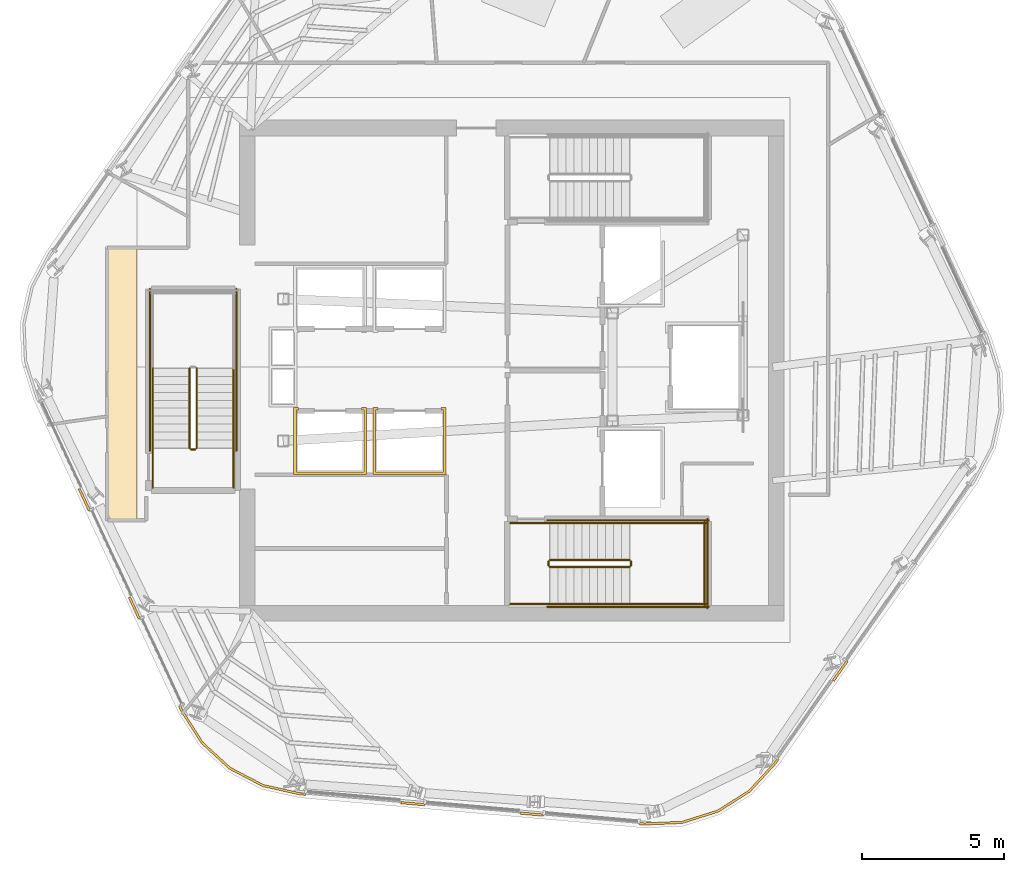
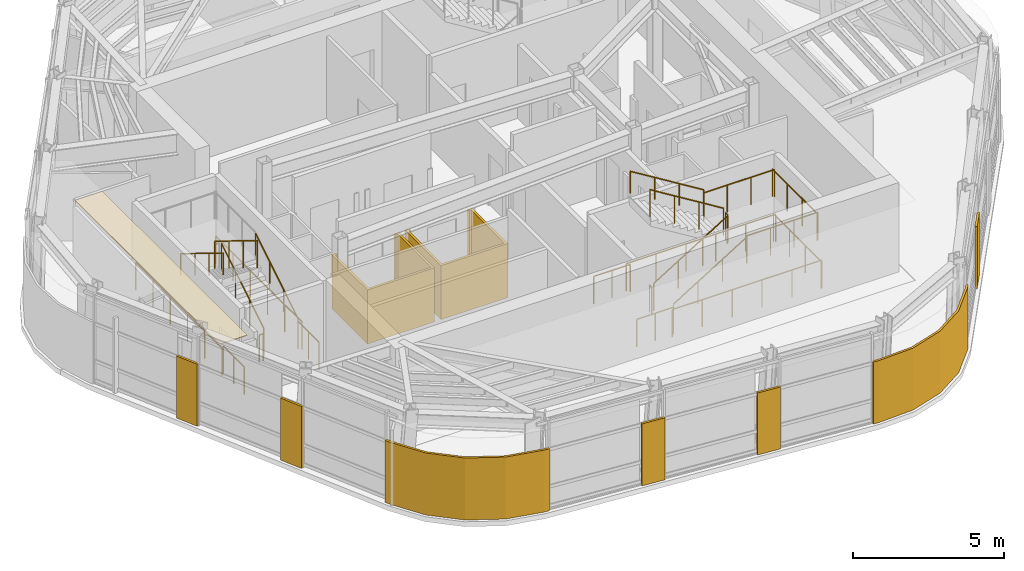
# One storey, part 8 of 12: 23 railings, 10 coverings.
"""IFC4 building model written with IfcOpenShell, lengths in metres."""

from ifc_helpers import new_model, si_unit, direction, frame, origin, origin_2d, place, context, subcontext, project, spatial, polyline, circle, outline, extrude, material, layer, layer_set, type_object, element, save


model = new_model("IFC4")

# Units and contexts
model_context = context("Model", 3, precision=1e-05, world=origin(), true_north=direction((0.0, 1.0)))
body_context = subcontext(model_context, "Body", "Model", "MODEL_VIEW")
ifc_project = project(units=[si_unit("LENGTHUNIT", "METRE"), si_unit("AREAUNIT", "SQUARE_METRE"), si_unit("VOLUMEUNIT", "CUBIC_METRE"), si_unit("PLANEANGLEUNIT", "RADIAN"), si_unit("MASSUNIT", "GRAM", prefix="KILO")], contexts=[model_context])

# Site, building, storey
site_placement = place(None, origin())
site = spatial("IfcSite", under=ifc_project, at=site_placement, CompositionType="ELEMENT")
building_placement = place(site_placement, origin())
building = spatial("IfcBuilding", under=site, at=building_placement, Name="Valkerne Bourse Tower", CompositionType="ELEMENT")
storey_placement = place(building_placement, frame((0.0, 0.0, 262.199951171875)))
storey = spatial("IfcBuildingStorey", under=building, at=storey_placement, Name="L66", CompositionType="ELEMENT", Elevation=262.199951171875)

# Coverings
ifc_material_1 = material(Name="Bronze Anodised Aluminium AA 6063-T6", Category="aluminium")
ifc_layer_1 = layer(ifc_material_1, 0.030029296875)
ifc_layer_set_1 = layer_set([ifc_layer_1], Name="Bronze Anodised Aluminium AA 6063-T6")
covering_type_1 = type_object("IfcCoveringType", Name="COV-CEIL-METAL", PredefinedType="CEILING", material=ifc_layer_set_1)
covering_1_placement = place(storey_placement, frame((0.0, 0.0, 3.25)))
element("IfcCovering", 1, at=covering_1_placement, inside=storey, type_object=covering_type_1, Name="L66 Suspended Ceiling 02", PredefinedType="CEILING", context=body_context, shape_type="SweptSolid", body=[
    extrude(outline(polyline([(32.553955078125, 21.60400390625), (32.553955078125, 31.196044921875), (33.60009765625, 31.196044921875), (33.60009765625, 21.60400390625), (32.553955078125, 21.60400390625)])), origin(), (0.0, 0.0, 1.0), 0.025146484375),
])
ifc_layer_2 = layer(ifc_material_1, 0.06005859375)
ifc_layer_set_2 = layer_set([ifc_layer_2], Name="Bronze Anodised Aluminium AA 6063-T6")
covering_type_2 = type_object("IfcCoveringType", Name="COV-CRN-ALUM", PredefinedType="CLADDING", material=ifc_layer_set_2)
covering_2_placement = place(storey_placement, origin())
element("IfcCovering", 2, at=covering_2_placement, inside=storey, type_object=covering_type_2, Name="L66 Wind-Shaped Corner Aluminium Cladding 03", PredefinedType="CLADDING", context=body_context, shape_type="SweptSolid", body=[
    extrude(outline(polyline([(58.166015625, 15.924560546875), (58.1005859375, 15.970458984375), (58.584716796875, 16.656982421875), (58.650146484375, 16.61083984375), (58.166015625, 15.924560546875)])), origin(), (0.0, 0.0, 1.0), 2.5),
])
covering_3_placement = place(storey_placement, origin())
element("IfcCovering", 3, at=covering_3_placement, inside=storey, type_object=covering_type_2, Name="L66 Wind-Shaped Corner Aluminium Cladding 04", PredefinedType="CLADDING", context=body_context, shape_type="SweptSolid", body=[
    extrude(outline(polyline([(56.111083984375, 13.010986328125), (55.20556640625, 12.026123046875), (54.081787109375, 11.31298828125), (52.8115234375, 10.914794921875), (51.474853515625, 10.85888671875), (51.2822265625, 10.875732421875), (51.28955078125, 10.955322265625), (51.4765625, 10.93896484375), (52.797607421875, 10.994384765625), (54.0478515625, 11.38623046875), (55.15380859375, 12.088134765625), (56.048583984375, 13.061279296875), (56.156982421875, 13.21484375), (56.222412109375, 13.1689453125), (56.111083984375, 13.010986328125)])), origin(), (0.0, 0.0, 1.0), 2.5),
])
covering_4_placement = place(storey_placement, origin())
element("IfcCovering", 4, at=covering_4_placement, inside=storey, type_object=covering_type_2, Name="L66 Wind-Shaped Corner Aluminium Cladding 05", PredefinedType="CLADDING", context=body_context, shape_type="SweptSolid", body=[
    extrude(outline(polyline([(47.08642578125, 11.2431640625), (47.093505859375, 11.322998046875), (47.930419921875, 11.24951171875), (47.92333984375, 11.169921875), (47.08642578125, 11.2431640625)])), origin(), (0.0, 0.0, 1.0), 2.5),
])
covering_5_placement = place(storey_placement, origin())
element("IfcCovering", 5, at=covering_5_placement, inside=storey, type_object=covering_type_2, Name="L66 Wind-Shaped Corner Aluminium Cladding 06", PredefinedType="CLADDING", context=body_context, shape_type="SweptSolid", body=[
    extrude(outline(polyline([(42.890380859375, 11.610595703125), (42.897705078125, 11.6904296875), (43.734375, 11.6171875), (43.727294921875, 11.537353515625), (42.890380859375, 11.610595703125)])), origin(), (0.0, 0.0, 1.0), 2.5),
])
covering_6_placement = place(storey_placement, origin())
element("IfcCovering", 6, at=covering_6_placement, inside=storey, type_object=covering_type_2, Name="L66 Wind-Shaped Corner Aluminium Cladding 07", PredefinedType="CLADDING", context=body_context, shape_type="SweptSolid", body=[
    extrude(outline(polyline([(39.3271484375, 11.922607421875), (38.021728515625, 12.214599609375), (36.842041015625, 12.831298828125), (35.8623046875, 13.732421875), (35.1455078125, 14.86181640625), (35.0595703125, 15.0478515625), (35.132080078125, 15.08154296875), (35.2158203125, 14.900146484375), (35.924072265625, 13.7841796875), (36.888427734375, 12.897216796875), (38.049560546875, 12.290283203125), (39.33935546875, 12.001953125), (39.538330078125, 11.984619140625), (39.53125, 11.90478515625), (39.3271484375, 11.922607421875)])), origin(), (0.0, 0.0, 1.0), 2.5),
])
covering_7_placement = place(storey_placement, origin())
element("IfcCovering", 7, at=covering_7_placement, inside=storey, type_object=covering_type_2, Name="L66 Wind-Shaped Corner Aluminium Cladding 08", PredefinedType="CLADDING", context=body_context, shape_type="SweptSolid", body=[
    extrude(outline(polyline([(33.29248046875, 18.87109375), (33.364990234375, 18.90478515625), (33.71728515625, 18.142333984375), (33.644775390625, 18.108642578125), (33.29248046875, 18.87109375)])), origin(), (0.0, 0.0, 1.0), 2.5),
])
covering_8_placement = place(storey_placement, origin())
element("IfcCovering", 8, at=covering_8_placement, inside=storey, type_object=covering_type_2, Name="L66 Wind-Shaped Corner Aluminium Cladding 09", PredefinedType="CLADDING", context=body_context, shape_type="SweptSolid", body=[
    extrude(outline(polyline([(31.525390625, 22.694580078125), (31.597900390625, 22.728271484375), (31.9501953125, 21.9658203125), (31.877685546875, 21.93212890625), (31.525390625, 22.694580078125)])), origin(), (0.0, 0.0, 1.0), 2.5),
])
ifc_material_2 = material(Name="Gypsum Shaftwall Liner Board", Category="gypsum")
ifc_layer_3 = layer(ifc_material_2, 0.080078125)
ifc_layer_set_3 = layer_set([ifc_layer_3], Name="Gypsum Shaftwall Liner Board")
covering_type_3 = type_object("IfcCoveringType", Name="COV-SHF-CLAD", PredefinedType="CLADDING", material=ifc_layer_set_3)
covering_9_placement = place(storey_placement, origin())
element("IfcCovering", 9, at=covering_9_placement, inside=storey, type_object=covering_type_3, Name="L66 Hoistway & Riser Shaftwall Liner 02", PredefinedType="CLADDING", context=body_context, shape_type="SweptSolid", body=[
    extrude(outline(polyline([(39.29931640625, 25.580078125), (39.28857421875, 25.537841796875), (39.2822265625, 25.494140625), (39.281982421875, 25.489990234375), (39.2099609375, 25.489990234375), (39.2099609375, 23.31005859375), (41.590087890625, 23.31005859375), (41.590087890625, 25.489990234375), (41.51806640625, 25.489990234375), (41.517822265625, 25.494140625), (41.511474609375, 25.537841796875), (41.500732421875, 25.580078125), (41.679931640625, 25.580078125), (41.679931640625, 23.219970703125), (39.1201171875, 23.219970703125), (39.1201171875, 25.580078125), (39.29931640625, 25.580078125)])), origin(), (0.0, 0.0, 1.0), 2.179931640625),
])
covering_10_placement = place(storey_placement, origin())
element("IfcCovering", 10, at=covering_10_placement, inside=storey, type_object=covering_type_3, Name="L66 Hoistway & Riser Shaftwall Liner 03", PredefinedType="CLADDING", context=body_context, shape_type="SweptSolid", body=[
    extrude(outline(polyline([(42.09912109375, 25.580078125), (42.088623046875, 25.537841796875), (42.082275390625, 25.494140625), (42.08203125, 25.489990234375), (42.010009765625, 25.489990234375), (42.010009765625, 23.31005859375), (44.389892578125, 23.31005859375), (44.389892578125, 25.489990234375), (44.318115234375, 25.489990234375), (44.31787109375, 25.494140625), (44.311279296875, 25.537841796875), (44.30078125, 25.580078125), (44.47998046875, 25.580078125), (44.47998046875, 23.219970703125), (41.919921875, 23.219970703125), (41.919921875, 25.580078125), (42.09912109375, 25.580078125)])), origin(), (0.0, 0.0, 1.0), 2.179931640625),
])

# Railings
ifc_material_3 = material(Name="Galvanised Painted Steel", Category="steel")
railing_type_1 = type_object("IfcRailingType", Name="RLG-ST-GUARD-1120", PredefinedType="GUARDRAIL", material=ifc_material_3)
railing_1_placement = place(storey_placement, frame((48.14990234375, 19.949951171875, 0.1728515625)))
element("IfcRailing", 11, at=railing_1_placement, inside=storey, type_object=railing_type_1, Name="L66 ST-1 stair guard 1", PredefinedType="GUARDRAIL", context=body_context, shape_type="SweptSolid", body=[
    extrude(circle(Radius=0.02392578125, at=origin_2d()), frame((0.0, 0.0, 1.09619140625), z_axis=(0.851089632645, 0.0, 0.525020415988), x_axis=(0.0, 1.0, 0.0)), (0.0, 0.0, 1.0), 3.2900390625),
    extrude(circle(Radius=0.02099609375, at=origin_2d()), origin(), (0.0, 0.0, 1.0), 1.072021484375),
    extrude(circle(Radius=0.02099609375, at=origin_2d()), frame((0.933349609375, 0.0, 0.57568359375)), (0.0, 0.0, 1.0), 1.072021484375),
    extrude(circle(Radius=0.02099609375, at=origin_2d()), frame((1.86669921875, 0.0, 1.151611328125)), (0.0, 0.0, 1.0), 1.072021484375),
    extrude(circle(Radius=0.02099609375, at=origin_2d()), frame((2.800048828125, 0.0, 1.727294921875)), (0.0, 0.0, 1.0), 1.072021484375),
])
railing_2_placement = place(storey_placement, frame((51.0, 20.0, 1.900146484375)))
element("IfcRailing", 12, at=railing_2_placement, inside=storey, type_object=railing_type_1, Name="L66 ST-1 stair guard 2", PredefinedType="GUARDRAIL", context=body_context, shape_type="SweptSolid", body=[
    extrude(circle(Radius=0.02392578125, at=origin_2d()), frame((0.0, 0.0, 1.09619140625), z_axis=(0.0, 1.0, 0.0), x_axis=(-1.0, 0.0, 0.0)), (0.0, 0.0, 1.0), 0.14990234375),
    extrude(circle(Radius=0.02099609375, at=origin_2d()), origin(), (0.0, 0.0, 1.0), 1.072021484375),
    extrude(circle(Radius=0.02099609375, at=origin_2d()), frame((0.0, 0.14990234375, 0.0)), (0.0, 0.0, 1.0), 1.072021484375),
])
for number, where, name in (
    (13, (50.949951171875, 18.64990234375, 1.900146484375), "L66 ST-1 stair guard 3"),
    (14, (50.949951171875, 21.5, 1.900146484375), "L66 ST-1 stair guard 4"),
):
    element("IfcRailing", number, at=place(storey_placement, frame(where)), inside=storey, type_object=railing_type_1, Name=name, PredefinedType="GUARDRAIL", context=body_context, shape_type="SweptSolid", body=[
        extrude(circle(Radius=0.02392578125, at=origin_2d()), frame((0.0, 0.0, 1.09619140625), z_axis=(1.0, 0.0, 0.0), x_axis=(0.0, 1.0, 0.0)), (0.0, 0.0, 1.0), 2.699951171875),
        extrude(circle(Radius=0.02099609375, at=origin_2d()), origin(), (0.0, 0.0, 1.0), 1.072021484375),
        extrude(circle(Radius=0.02099609375, at=origin_2d()), frame((0.89990234375, 0.0, 0.0)), (0.0, 0.0, 1.0), 1.072021484375),
        extrude(circle(Radius=0.02099609375, at=origin_2d()), frame((1.800048828125, 0.0, 0.0)), (0.0, 0.0, 1.0), 1.072021484375),
        extrude(circle(Radius=0.02099609375, at=origin_2d()), frame((2.699951171875, 0.0, 0.0)), (0.0, 0.0, 1.0), 1.072021484375),
    ])
railing_3_placement = place(storey_placement, frame((53.60009765625, 18.60009765625, 1.900146484375)))
element("IfcRailing", 15, at=railing_3_placement, inside=storey, type_object=railing_type_1, Name="L66 ST-1 stair guard 5", PredefinedType="GUARDRAIL", context=body_context, shape_type="SweptSolid", body=[
    extrude(circle(Radius=0.02392578125, at=origin_2d()), frame((0.0, 0.0, 1.09619140625), z_axis=(0.0, 1.0, 0.0), x_axis=(-1.0, 0.0, 0.0)), (0.0, 0.0, 1.0), 2.949951171875),
    extrude(circle(Radius=0.02099609375, at=origin_2d()), origin(), (0.0, 0.0, 1.0), 1.072021484375),
    extrude(circle(Radius=0.02099609375, at=origin_2d()), frame((0.0, 0.9833984375, 0.0)), (0.0, 0.0, 1.0), 1.072021484375),
    extrude(circle(Radius=0.02099609375, at=origin_2d()), frame((0.0, 1.966552734375, 0.0)), (0.0, 0.0, 1.0), 1.072021484375),
    extrude(circle(Radius=0.02099609375, at=origin_2d()), frame((0.0, 2.949951171875, 0.0)), (0.0, 0.0, 1.0), 1.072021484375),
])
railing_4_placement = place(storey_placement, frame((50.949951171875, 20.199951171875, 2.07275390625)))
element("IfcRailing", 16, at=railing_4_placement, inside=storey, type_object=railing_type_1, Name="L66 ST-1 stair guard 6", PredefinedType="GUARDRAIL", context=body_context, shape_type="SweptSolid", body=[
    extrude(circle(Radius=0.02392578125, at=origin_2d()), frame((0.0, 0.0, 1.09619140625), z_axis=(-0.851089632645, 0.0, 0.525020415988), x_axis=(0.0, -1.0, 0.0)), (0.0, 0.0, 1.0), 3.2900390625),
    extrude(circle(Radius=0.02099609375, at=origin_2d()), origin(), (0.0, 0.0, 1.0), 1.072021484375),
    extrude(circle(Radius=0.02099609375, at=origin_2d()), frame((-0.933349609375, 0.0, 0.57568359375)), (0.0, 0.0, 1.0), 1.072021484375),
    extrude(circle(Radius=0.02099609375, at=origin_2d()), frame((-1.86669921875, 0.0, 1.151611328125)), (0.0, 0.0, 1.0), 1.072021484375),
    extrude(circle(Radius=0.02099609375, at=origin_2d()), frame((-2.800048828125, 0.0, 1.727294921875)), (0.0, 0.0, 1.0), 1.072021484375),
])
railing_5_placement = place(storey_placement, frame((48.10009765625, 20.0, 0.0)))
element("IfcRailing", 17, at=railing_5_placement, inside=storey, type_object=railing_type_1, Name="L66 ST-1 stair guard 7", PredefinedType="GUARDRAIL", context=body_context, shape_type="SweptSolid", body=[
    extrude(circle(Radius=0.02392578125, at=origin_2d()), frame((0.0, 0.0, 1.09619140625), z_axis=(0.0, 1.0, 0.0), x_axis=(-1.0, 0.0, 0.0)), (0.0, 0.0, 1.0), 0.14990234375),
    extrude(circle(Radius=0.02099609375, at=origin_2d()), origin(), (0.0, 0.0, 1.0), 1.072021484375),
    extrude(circle(Radius=0.02099609375, at=origin_2d()), frame((0.0, 0.14990234375, 0.0)), (0.0, 0.0, 1.0), 1.072021484375),
])
for number, where, name in (
    (18, (46.75, 18.64990234375, 0.0), "L66 ST-1 stair guard 8"),
    (19, (46.75, 21.5, 0.0), "L66 ST-1 stair guard 9"),
):
    element("IfcRailing", number, at=place(storey_placement, frame(where)), inside=storey, type_object=railing_type_1, Name=name, PredefinedType="GUARDRAIL", context=body_context, shape_type="SweptSolid", body=[
        extrude(circle(Radius=0.02392578125, at=origin_2d()), frame((0.0, 0.0, 1.09619140625), z_axis=(1.0, 0.0, 0.0), x_axis=(0.0, 1.0, 0.0)), (0.0, 0.0, 1.0), 1.39990234375),
        extrude(circle(Radius=0.02099609375, at=origin_2d()), origin(), (0.0, 0.0, 1.0), 1.072021484375),
        extrude(circle(Radius=0.02099609375, at=origin_2d()), frame((0.699951171875, 0.0, 0.0)), (0.0, 0.0, 1.0), 1.072021484375),
        extrude(circle(Radius=0.02099609375, at=origin_2d()), frame((1.39990234375, 0.0, 0.0)), (0.0, 0.0, 1.0), 1.072021484375),
    ])
for number, where, name in (
    (20, (48.050048828125, 18.550048828125, 0.0), "L66 ST-1 stair guard 10"),
    (21, (48.050048828125, 21.60009765625, 0.0), "L66 ST-1 stair guard 11"),
):
    element("IfcRailing", number, at=place(storey_placement, frame(where)), inside=storey, type_object=railing_type_1, Name=name, PredefinedType="GUARDRAIL", context=body_context, shape_type="SweptSolid", body=[
        extrude(circle(Radius=0.02392578125, at=origin_2d()), frame((0.0, 0.0, 1.09619140625), z_axis=(1.0, 0.0, 0.0), x_axis=(0.0, 1.0, 0.0)), (0.0, 0.0, 1.0), 5.699951171875),
        extrude(circle(Radius=0.02099609375, at=origin_2d()), origin(), (0.0, 0.0, 1.0), 1.072021484375),
        extrude(circle(Radius=0.02099609375, at=origin_2d()), frame((1.139892578125, 0.0, 0.0)), (0.0, 0.0, 1.0), 1.072021484375),
        extrude(circle(Radius=0.02099609375, at=origin_2d()), frame((2.280029296875, 0.0, 0.0)), (0.0, 0.0, 1.0), 1.072021484375),
        extrude(circle(Radius=0.02099609375, at=origin_2d()), frame((3.419921875, 0.0, 0.0)), (0.0, 0.0, 1.0), 1.072021484375),
        extrude(circle(Radius=0.02099609375, at=origin_2d()), frame((4.56005859375, 0.0, 0.0)), (0.0, 0.0, 1.0), 1.072021484375),
        extrude(circle(Radius=0.02099609375, at=origin_2d()), frame((5.699951171875, 0.0, 0.0)), (0.0, 0.0, 1.0), 1.072021484375),
    ])
railing_6_placement = place(storey_placement, frame((53.699951171875, 18.5, 0.0)))
element("IfcRailing", 22, at=railing_6_placement, inside=storey, type_object=railing_type_1, Name="L66 ST-1 stair guard 12", PredefinedType="GUARDRAIL", context=body_context, shape_type="SweptSolid", body=[
    extrude(circle(Radius=0.02392578125, at=origin_2d()), frame((0.0, 0.0, 1.09619140625), z_axis=(0.0, 1.0, 0.0), x_axis=(-1.0, 0.0, 0.0)), (0.0, 0.0, 1.0), 3.14990234375),
    extrude(circle(Radius=0.02099609375, at=origin_2d()), origin(), (0.0, 0.0, 1.0), 1.072021484375),
    extrude(circle(Radius=0.02099609375, at=origin_2d()), frame((0.0, 1.050048828125, 0.0)), (0.0, 0.0, 1.0), 1.072021484375),
    extrude(circle(Radius=0.02099609375, at=origin_2d()), frame((0.0, 2.099853515625, 0.0)), (0.0, 0.0, 1.0), 1.072021484375),
    extrude(circle(Radius=0.02099609375, at=origin_2d()), frame((0.0, 3.14990234375, 0.0)), (0.0, 0.0, 1.0), 1.072021484375),
])
railing_7_placement = place(storey_placement, frame((35.699951171875, 24.14990234375, 0.1728515625)))
element("IfcRailing", 23, at=railing_7_placement, inside=storey, type_object=railing_type_1, Name="L66 ST-3 stair guard 1", PredefinedType="GUARDRAIL", context=body_context, shape_type="SweptSolid", body=[
    extrude(circle(Radius=0.02392578125, at=origin_2d()), frame((0.0, 0.0, 1.09619140625), z_axis=(0.0, 0.851089632645, 0.525020415988), x_axis=(-1.0, 0.0, 0.0)), (0.0, 0.0, 1.0), 3.2900390625),
    extrude(circle(Radius=0.02099609375, at=origin_2d()), origin(), (0.0, 0.0, 1.0), 1.072021484375),
    extrude(circle(Radius=0.02099609375, at=origin_2d()), frame((0.0, 0.933349609375, 0.57568359375)), (0.0, 0.0, 1.0), 1.072021484375),
    extrude(circle(Radius=0.02099609375, at=origin_2d()), frame((0.0, 1.86669921875, 1.151611328125)), (0.0, 0.0, 1.0), 1.072021484375),
    extrude(circle(Radius=0.02099609375, at=origin_2d()), frame((0.0, 2.800048828125, 1.727294921875)), (0.0, 0.0, 1.0), 1.072021484375),
])
railing_8_placement = place(storey_placement, frame((35.449951171875, 26.949951171875, 2.07275390625)))
element("IfcRailing", 24, at=railing_8_placement, inside=storey, type_object=railing_type_1, Name="L66 ST-3 stair guard 6", PredefinedType="GUARDRAIL", context=body_context, shape_type="SweptSolid", body=[
    extrude(circle(Radius=0.02392578125, at=origin_2d()), frame((0.0, 0.0, 1.09619140625), z_axis=(0.0, -0.851089632645, 0.525020415988), x_axis=(1.0, 0.0, 0.0)), (0.0, 0.0, 1.0), 3.2900390625),
    extrude(circle(Radius=0.02099609375, at=origin_2d()), origin(), (0.0, 0.0, 1.0), 1.072021484375),
    extrude(circle(Radius=0.02099609375, at=origin_2d()), frame((0.0, -0.933349609375, 0.57568359375)), (0.0, 0.0, 1.0), 1.072021484375),
    extrude(circle(Radius=0.02099609375, at=origin_2d()), frame((0.0, -1.86669921875, 1.151611328125)), (0.0, 0.0, 1.0), 1.072021484375),
    extrude(circle(Radius=0.02099609375, at=origin_2d()), frame((0.0, -2.800048828125, 1.727294921875)), (0.0, 0.0, 1.0), 1.072021484375),
])
railing_9_placement = place(storey_placement, frame((35.64990234375, 24.10009765625, 0.0)))
element("IfcRailing", 25, at=railing_9_placement, inside=storey, type_object=railing_type_1, Name="L66 ST-3 stair guard 7", PredefinedType="GUARDRAIL", context=body_context, shape_type="SweptSolid", body=[
    extrude(circle(Radius=0.02392578125, at=origin_2d()), frame((0.0, 0.0, 1.09619140625), z_axis=(-1.0, 0.0, 0.0), x_axis=(0.0, -1.0, 0.0)), (0.0, 0.0, 1.0), 0.14990234375),
    extrude(circle(Radius=0.02099609375, at=origin_2d()), origin(), (0.0, 0.0, 1.0), 1.072021484375),
    extrude(circle(Radius=0.02099609375, at=origin_2d()), frame((-0.14990234375, 0.0, 0.0)), (0.0, 0.0, 1.0), 1.072021484375),
])
for number, where, name in (
    (26, (37.0, 22.75, 0.0), "L66 ST-3 stair guard 8"),
    (27, (34.14990234375, 22.75, 0.0), "L66 ST-3 stair guard 9"),
):
    element("IfcRailing", number, at=place(storey_placement, frame(where)), inside=storey, type_object=railing_type_1, Name=name, PredefinedType="GUARDRAIL", context=body_context, shape_type="SweptSolid", body=[
        extrude(circle(Radius=0.02392578125, at=origin_2d()), frame((0.0, 0.0, 1.09619140625), z_axis=(0.0, 1.0, 0.0), x_axis=(-1.0, 0.0, 0.0)), (0.0, 0.0, 1.0), 1.39990234375),
        extrude(circle(Radius=0.02099609375, at=origin_2d()), origin(), (0.0, 0.0, 1.0), 1.072021484375),
        extrude(circle(Radius=0.02099609375, at=origin_2d()), frame((0.0, 0.699951171875, 0.0)), (0.0, 0.0, 1.0), 1.072021484375),
        extrude(circle(Radius=0.02099609375, at=origin_2d()), frame((0.0, 1.39990234375, 0.0)), (0.0, 0.0, 1.0), 1.072021484375),
    ])
for number, where, name in (
    (28, (37.10009765625, 24.050048828125, 0.0), "L66 ST-3 stair guard 10"),
    (29, (34.050048828125, 24.050048828125, 0.0), "L66 ST-3 stair guard 11"),
):
    element("IfcRailing", number, at=place(storey_placement, frame(where)), inside=storey, type_object=railing_type_1, Name=name, PredefinedType="GUARDRAIL", context=body_context, shape_type="SweptSolid", body=[
        extrude(circle(Radius=0.02392578125, at=origin_2d()), frame((0.0, 0.0, 1.09619140625), z_axis=(0.0, 1.0, 0.0), x_axis=(-1.0, 0.0, 0.0)), (0.0, 0.0, 1.0), 5.699951171875),
        extrude(circle(Radius=0.02099609375, at=origin_2d()), origin(), (0.0, 0.0, 1.0), 1.072021484375),
        extrude(circle(Radius=0.02099609375, at=origin_2d()), frame((0.0, 1.139892578125, 0.0)), (0.0, 0.0, 1.0), 1.072021484375),
        extrude(circle(Radius=0.02099609375, at=origin_2d()), frame((0.0, 2.280029296875, 0.0)), (0.0, 0.0, 1.0), 1.072021484375),
        extrude(circle(Radius=0.02099609375, at=origin_2d()), frame((0.0, 3.419921875, 0.0)), (0.0, 0.0, 1.0), 1.072021484375),
        extrude(circle(Radius=0.02099609375, at=origin_2d()), frame((0.0, 4.56005859375, 0.0)), (0.0, 0.0, 1.0), 1.072021484375),
        extrude(circle(Radius=0.02099609375, at=origin_2d()), frame((0.0, 5.699951171875, 0.0)), (0.0, 0.0, 1.0), 1.072021484375),
    ])
ifc_material_4 = material(Name="Stainless Steel AISI 316", Category="steel")
railing_type_2 = type_object("IfcRailingType", Name="RLG-ST-HANDRAIL-900", PredefinedType="HANDRAIL", material=ifc_material_4)
railing_10_placement = place(storey_placement, frame((48.14990234375, 18.64990234375, 0.345458984375)))
element("IfcRailing", 30, at=railing_10_placement, inside=storey, type_object=railing_type_2, Name="L66 ST-1 stair handrail 1", PredefinedType="HANDRAIL", context=body_context, shape_type="SweptSolid", body=[
    extrude(circle(Radius=0.02392578125, at=origin_2d()), frame((0.0, 0.0, 0.8759765625), z_axis=(0.851089632645, 0.0, 0.525020415988), x_axis=(0.0, 1.0, 0.0)), (0.0, 0.0, 1.0), 3.2900390625),
    extrude(circle(Radius=0.02099609375, at=origin_2d()), origin(), (0.0, 0.0, 1.0), 0.851806640625),
    extrude(circle(Radius=0.02099609375, at=origin_2d()), frame((0.933349609375, 0.0, 0.57568359375)), (0.0, 0.0, 1.0), 0.851806640625),
    extrude(circle(Radius=0.02099609375, at=origin_2d()), frame((1.86669921875, 0.0, 1.151611328125)), (0.0, 0.0, 1.0), 0.851806640625),
    extrude(circle(Radius=0.02099609375, at=origin_2d()), frame((2.800048828125, 0.0, 1.727294921875)), (0.0, 0.0, 1.0), 0.851806640625),
])
railing_11_placement = place(storey_placement, frame((50.949951171875, 21.5, 2.24560546875)))
element("IfcRailing", 31, at=railing_11_placement, inside=storey, type_object=railing_type_2, Name="L66 ST-1 stair handrail 2", PredefinedType="HANDRAIL", context=body_context, shape_type="SweptSolid", body=[
    extrude(circle(Radius=0.02392578125, at=origin_2d()), frame((0.0, 0.0, 0.8759765625), z_axis=(-0.851122791225, 0.0, 0.524966660138), x_axis=(0.0, -1.0, 0.0)), (0.0, 0.0, 1.0), 3.289794921875),
    extrude(circle(Radius=0.02099609375, at=origin_2d()), origin(), (0.0, 0.0, 1.0), 0.851806640625),
    extrude(circle(Radius=0.02099609375, at=origin_2d()), frame((-0.933349609375, 0.0, 0.57568359375)), (0.0, 0.0, 1.0), 0.851806640625),
    extrude(circle(Radius=0.02099609375, at=origin_2d()), frame((-1.86669921875, 0.0, 1.1513671875)), (0.0, 0.0, 1.0), 0.851806640625),
    extrude(circle(Radius=0.02099609375, at=origin_2d()), frame((-2.800048828125, 0.0, 1.72705078125)), (0.0, 0.0, 1.0), 0.851806640625),
])
railing_12_placement = place(storey_placement, frame((37.0, 24.14990234375, 0.345458984375)))
element("IfcRailing", 32, at=railing_12_placement, inside=storey, type_object=railing_type_2, Name="L66 ST-3 stair handrail 1", PredefinedType="HANDRAIL", context=body_context, shape_type="SweptSolid", body=[
    extrude(circle(Radius=0.02392578125, at=origin_2d()), frame((0.0, 0.0, 0.8759765625), z_axis=(0.0, 0.851089632645, 0.525020415988), x_axis=(-1.0, 0.0, 0.0)), (0.0, 0.0, 1.0), 3.2900390625),
    extrude(circle(Radius=0.02099609375, at=origin_2d()), origin(), (0.0, 0.0, 1.0), 0.851806640625),
    extrude(circle(Radius=0.02099609375, at=origin_2d()), frame((0.0, 0.933349609375, 0.57568359375)), (0.0, 0.0, 1.0), 0.851806640625),
    extrude(circle(Radius=0.02099609375, at=origin_2d()), frame((0.0, 1.86669921875, 1.151611328125)), (0.0, 0.0, 1.0), 0.851806640625),
    extrude(circle(Radius=0.02099609375, at=origin_2d()), frame((0.0, 2.800048828125, 1.727294921875)), (0.0, 0.0, 1.0), 0.851806640625),
])
railing_13_placement = place(storey_placement, frame((34.14990234375, 26.949951171875, 2.24560546875)))
element("IfcRailing", 33, at=railing_13_placement, inside=storey, type_object=railing_type_2, Name="L66 ST-3 stair handrail 2", PredefinedType="HANDRAIL", context=body_context, shape_type="SweptSolid", body=[
    extrude(circle(Radius=0.02392578125, at=origin_2d()), frame((0.0, 0.0, 0.8759765625), z_axis=(0.0, -0.851122791225, 0.524966660138), x_axis=(1.0, 0.0, 0.0)), (0.0, 0.0, 1.0), 3.289794921875),
    extrude(circle(Radius=0.02099609375, at=origin_2d()), origin(), (0.0, 0.0, 1.0), 0.851806640625),
    extrude(circle(Radius=0.02099609375, at=origin_2d()), frame((0.0, -0.933349609375, 0.57568359375)), (0.0, 0.0, 1.0), 0.851806640625),
    extrude(circle(Radius=0.02099609375, at=origin_2d()), frame((0.0, -1.86669921875, 1.1513671875)), (0.0, 0.0, 1.0), 0.851806640625),
    extrude(circle(Radius=0.02099609375, at=origin_2d()), frame((0.0, -2.800048828125, 1.72705078125)), (0.0, 0.0, 1.0), 0.851806640625),
])

save(model, "model.ifc")
